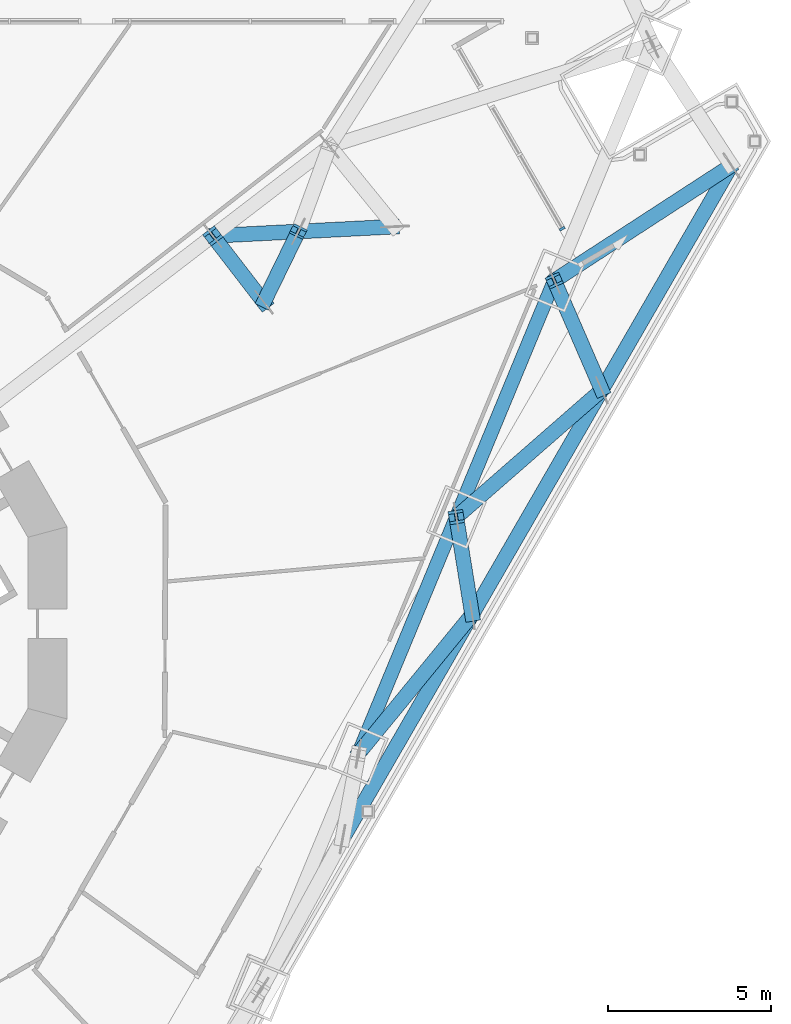
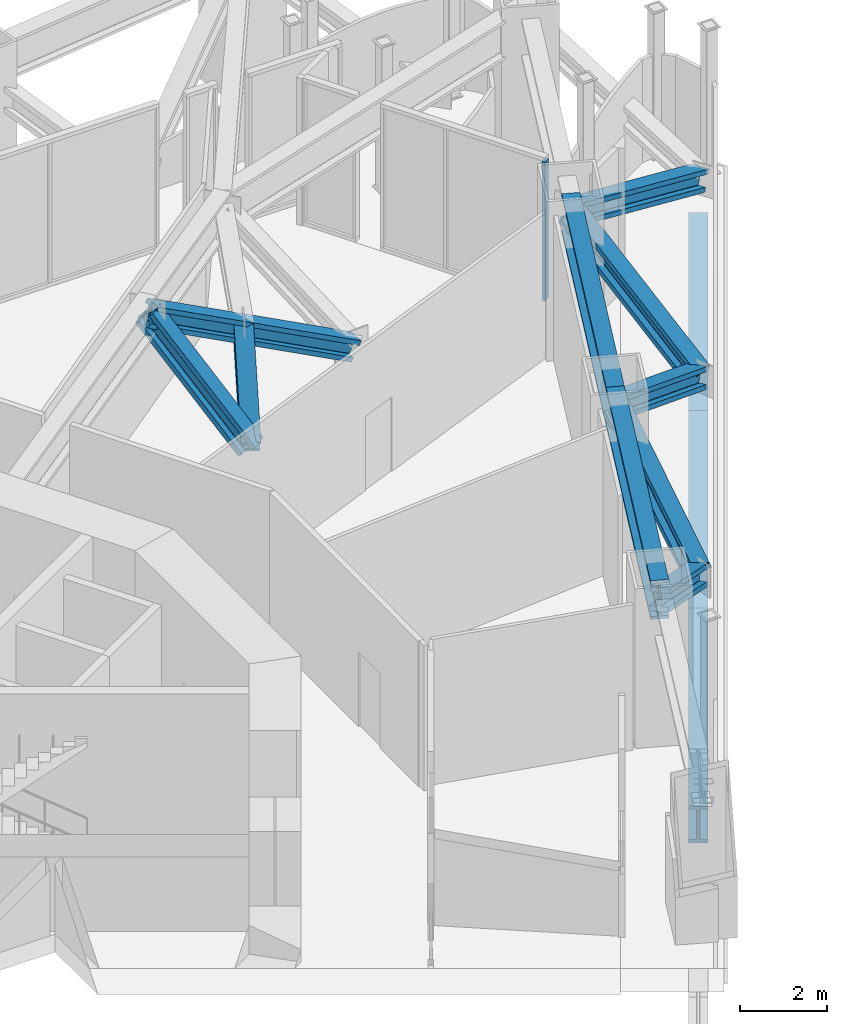
# One storey, part 5 of 28: 14 members, 1 element without a shape of its own.
"""IFC4 building model written with IfcOpenShell, lengths in metres."""

import ifcopenshell
import ifcopenshell.guid

model = None  # the IFC model being written
_history = None  # IfcOwnerHistory: only IFC2X3 demands one
_inside = {}  # id of a spatial element -> (the spatial element, [elements in it])
_under = {}  # id of a project, library or spatial element -> (it, [spatial elements below it])
_declared = {}  # id of a project -> (the project, [libraries it declares])
_typed = {}  # id of a type object -> (the type object, [elements of that type])
_made_of = {}  # id of a material, layer set ... -> (it, [elements and type objects made of it])


def new_model(schema):
    """Start an empty IFC model of exactly this schema.

    Asked for "IFC4X3", IfcOpenShell would pick the latest addendum, in which some entities
    have other attributes; the version numbers below select the first issue.
    IFC2X3 requires an IfcOwnerHistory on every rooted entity: one is made here for all.
    """
    global model, _history
    if schema == "IFC4X3":
        model = ifcopenshell.file(schema_version=(4, 3, 0, 0))
    else:
        model = ifcopenshell.file(schema=schema)
    _inside.clear()
    _under.clear()
    _declared.clear()
    _typed.clear()
    _made_of.clear()
    _history = None
    if model.schema == "IFC2X3":
        org = make("IfcOrganization", Name="unknown")
        user = make(
            "IfcPersonAndOrganization",
            ThePerson=make("IfcPerson", FamilyName="unknown"),
            TheOrganization=org,
        )
        app = make(
            "IfcApplication",
            ApplicationDeveloper=org,
            Version="unknown",
            ApplicationFullName="unknown",
            ApplicationIdentifier="unknown",
        )
        _history = make(
            "IfcOwnerHistory",
            OwningUser=user,
            OwningApplication=app,
            ChangeAction="ADDED",
            CreationDate=0,
        )
    return model


def make(cls, **values):
    """One entity of the class cls with the attributes given. An attribute that is None is left unset."""
    return model.create_entity(
        cls, **{name: value for name, value in values.items() if value is not None}
    )


def rooted(cls, **values):
    """An entity with a GlobalId (a new one), such as an element, a storey or a relation."""
    return make(cls, GlobalId=ifcopenshell.guid.new(), OwnerHistory=_history, **values)


def si_unit(unit_type, name, prefix=None):
    """IfcSIUnit, for example si_unit("LENGTHUNIT", "METRE", prefix="MILLI")."""
    return make("IfcSIUnit", UnitType=unit_type, Prefix=prefix, Name=name)


def assignment(units):
    """IfcUnitAssignment: the units of a project."""
    return None if units is None else make("IfcUnitAssignment", Units=units)


def point(xyz):
    """IfcCartesianPoint."""
    return None if xyz is None else make("IfcCartesianPoint", Coordinates=xyz)


def direction(xyz):
    """IfcDirection."""
    return None if xyz is None else make("IfcDirection", DirectionRatios=xyz)


def frame(location, z_axis=None, x_axis=None):
    """IfcAxis2Placement3D, a coordinate frame: its origin and axes. An axis left out is left unset."""
    return make(
        "IfcAxis2Placement3D",
        Location=point(location),
        Axis=direction(z_axis),
        RefDirection=direction(x_axis),
    )


def frame_2d(location, x_axis=None):
    """IfcAxis2Placement2D, a coordinate frame in the plane: its origin and x axis."""
    return make(
        "IfcAxis2Placement2D", Location=point(location), RefDirection=direction(x_axis)
    )


def origin():
    """The frame at (0, 0, 0) with its axes left unset."""
    return frame((0.0, 0.0, 0.0))


def origin_2d():
    """The frame at (0, 0) in the plane with its x axis left unset."""
    return frame_2d((0.0, 0.0))


def place(relative_to, where):
    """IfcLocalPlacement: puts the frame where relative to a parent placement (None: the world)."""
    return make(
        "IfcLocalPlacement", PlacementRelTo=relative_to, RelativePlacement=where
    )


def context(
    kind, dimensions, precision=None, world=None, true_north=None, identifier=None
):
    """IfcGeometricRepresentationContext, for example the 3D "Model" context."""
    return make(
        "IfcGeometricRepresentationContext",
        ContextIdentifier=identifier,
        ContextType=kind,
        CoordinateSpaceDimension=dimensions,
        Precision=precision,
        WorldCoordinateSystem=world,
        TrueNorth=true_north,
    )


def subcontext(parent, identifier, kind, view, scale=None):
    """IfcGeometricRepresentationSubContext, for example "Body" below "Model"."""
    return make(
        "IfcGeometricRepresentationSubContext",
        ContextIdentifier=identifier,
        ContextType=kind,
        ParentContext=parent,
        TargetScale=scale,
        TargetView=view,
    )


def project(units=None, contexts=None):
    """IfcProject with its units and contexts."""
    return rooted(
        "IfcProject",
        Name="project",
        RepresentationContexts=contexts,
        UnitsInContext=assignment(units),
    )


def spatial(cls, under=None, at=None, **own):
    """A site, building, storey or space (cls), placed at a placement, below another one or the project."""
    s = rooted(cls, ObjectPlacement=at, **own)
    if under is not None:
        _under.setdefault(under.id(), (under, []))[1].append(s)
    return s


def profile(cls, at=None, kind="AREA", **sizes):
    """A parametric profile (cls). Its sizes go by their IFC names, for example OverallWidth=200.0."""
    return make(cls, ProfileType=kind, Position=at, **sizes)


def rectangle(**sizes):
    """IfcRectangleProfileDef."""
    return profile("IfcRectangleProfileDef", **sizes)


def i_section(**sizes):
    """IfcIShapeProfileDef."""
    return profile("IfcIShapeProfileDef", **sizes)


def extrude(swept, where, along, depth):
    """IfcExtrudedAreaSolid: the profile swept, set in the frame where, extruded along a direction by depth."""
    return make(
        "IfcExtrudedAreaSolid",
        SweptArea=swept,
        Position=where,
        ExtrudedDirection=direction(along),
        Depth=depth,
    )


def shape(context_of_items, identifier, shape_type, items):
    """IfcShapeRepresentation: the items that make up one representation, for example the "Body"."""
    return make(
        "IfcShapeRepresentation",
        ContextOfItems=context_of_items,
        RepresentationIdentifier=identifier,
        RepresentationType=shape_type,
        Items=items,
    )


def material(Name=None, Category=None):
    """IfcMaterial."""
    return make("IfcMaterial", Name=Name, Category=Category)


def layer(
    of_material, thickness, ventilated=None, Name=None, Category=None, Priority=None
):
    """IfcMaterialLayer: one layer of a wall or slab, of a material (None: an air gap)."""
    return make(
        "IfcMaterialLayer",
        Material=of_material,
        LayerThickness=thickness,
        IsVentilated=ventilated,
        Name=Name,
        Category=Category,
        Priority=Priority,
    )


def layer_set(layers, Name=None):
    """IfcMaterialLayerSet."""
    return make("IfcMaterialLayerSet", MaterialLayers=layers, LayerSetName=Name)


def material_profile(
    of_material, cross_section, Name=None, Category=None, Priority=None
):
    """IfcMaterialProfile: a cross section and its material."""
    return make(
        "IfcMaterialProfile",
        Name=Name,
        Material=of_material,
        Profile=cross_section,
        Priority=Priority,
        Category=Category,
    )


def profile_set(profiles, Name=None, composite=None):
    """IfcMaterialProfileSet."""
    return make(
        "IfcMaterialProfileSet",
        Name=Name,
        MaterialProfiles=profiles,
        CompositeProfile=composite,
    )


def made_of(thing, what):
    """Note that an element or type object is made of a material, layer set ...; save() writes the relation."""
    if what is not None:
        _made_of.setdefault(what.id(), (what, []))[1].append(thing)
    return thing


def type_object(cls, material=None, **own):
    """A type object (cls), such as IfcWallType, which elements share."""
    return made_of(rooted(cls, **own), material)


def element(
    cls,
    number,
    at=None,
    inside=None,
    cuts=None,
    type_object=None,
    material=None,
    context=None,
    identifier="Body",
    shape_type=None,
    held_by="IfcProductDefinitionShape",
    body=None,
    shapes=None,
    **own,
):
    """One element of the class cls, such as IfcWall. Its Tag is "e" and its number.

    at: its placement. inside: the storey or other place that contains it. cuts: it is an
    opening in that element (IfcRelVoidsElement). A single representation is given by context,
    identifier, shape_type and body (its items); several are given by shapes. held_by: the class
    of the entity that holds the representations. save() writes the other relations.
    """
    e = rooted(cls, Tag="e%d" % number, ObjectPlacement=at, **own)
    if body is not None:
        shapes = [shape(context, identifier, shape_type, body)]
    if shapes is not None:
        e.Representation = make(held_by, Representations=shapes)
    if inside is not None:
        _inside.setdefault(inside.id(), (inside, []))[1].append(e)
    if cuts is not None:
        rooted(
            "IfcRelVoidsElement", RelatingBuildingElement=cuts, RelatedOpeningElement=e
        )
    if type_object is not None:
        _typed.setdefault(type_object.id(), (type_object, []))[1].append(e)
    return made_of(e, material)


def aggregate(whole, parts):
    """IfcRelAggregates: a whole, such as a stair, and the parts it consists of."""
    return rooted("IfcRelAggregates", RelatingObject=whole, RelatedObjects=parts)


def save(model, path):
    """Write the relations noted so far, then the file.

    IfcRelAggregates (storeys below a building ...), IfcRelContainedInSpatialStructure (elements
    in a storey), IfcRelDefinesByType, IfcRelAssociatesMaterial and IfcRelDeclares: one each for
    every whole, place, type object, material and project.
    """
    for whole, parts in _under.values():
        aggregate(whole, parts)
    for where, things in _inside.values():
        rooted(
            "IfcRelContainedInSpatialStructure",
            RelatedElements=things,
            RelatingStructure=where,
        )
    for kind, things in _typed.values():
        rooted("IfcRelDefinesByType", RelatedObjects=things, RelatingType=kind)
    for what, things in _made_of.values():
        rooted("IfcRelAssociatesMaterial", RelatedObjects=things, RelatingMaterial=what)
    for by, libraries in _declared.values():
        rooted("IfcRelDeclares", RelatingContext=by, RelatedDefinitions=libraries)
    model.write(path)


model = new_model("IFC4")

# Units and contexts
model_context = context("Model", 3, precision=1e-05, world=origin(), true_north=direction((0.0, 1.0)))
body_context = subcontext(model_context, "Body", "Model", "MODEL_VIEW")
ifc_project = project(units=[si_unit("LENGTHUNIT", "METRE"), si_unit("AREAUNIT", "SQUARE_METRE"), si_unit("VOLUMEUNIT", "CUBIC_METRE"), si_unit("PLANEANGLEUNIT", "RADIAN"), si_unit("MASSUNIT", "GRAM", prefix="KILO")], contexts=[model_context])

# Site, building, storey
site_placement = place(None, origin())
site = spatial("IfcSite", under=ifc_project, at=site_placement, CompositionType="ELEMENT")
building_placement = place(site_placement, origin())
building = spatial("IfcBuilding", under=site, at=building_placement, Name="Trine Commons Tower", CompositionType="ELEMENT")
storey_placement = place(building_placement, frame((0.0, 0.0, 45.89990234375)))
storey = spatial("IfcBuildingStorey", under=building, at=storey_placement, Name="L10", CompositionType="ELEMENT", Elevation=45.89990234375)

# Curtain wall, member
ifc_material_1 = material(Name="Sky lounge glazing: anodised aluminium frame with low-emissivity double glazed unit, solar control", Category="aluminium")
ifc_layer = layer(ifc_material_1, 0.179931640625)
ifc_layer_set = layer_set([ifc_layer], Name="Sky lounge glazing: anodised aluminium frame with low-emissivity double glazed unit, solar control")
curtain_wall_type = type_object("IfcCurtainWallType", Name="Sky lounge glazing curtain wall CW5", PredefinedType="NOTDEFINED", material=ifc_layer_set)
curtain_wall_placement = place(storey_placement, origin())
curtain_wall = element("IfcCurtainWall", 1, at=curtain_wall_placement, inside=storey, type_object=curtain_wall_type, Name="Sky lounge glazing L10 P2.2", PredefinedType="NOTDEFINED")
ifc_material_2 = material(Name="Anodised aluminium, bronze finish", Category="aluminium")
ifc_material_profile_1 = material_profile(ifc_material_2, rectangle(XDim=0.179931640625, YDim=0.074951171875, at=origin_2d()), Name="Mullion 75x180")
ifc_profile_set_1 = profile_set([ifc_material_profile_1], Name="Anodised aluminium, bronze finish")
member_type_1 = type_object("IfcMemberType", Name="Mullion 75x180, Anodised aluminium, bronze finish", PredefinedType="MULLION", material=ifc_profile_set_1)
member_1_placement = place(storey_placement, frame((106.218505859375, 74.606689453125, 0.110107421875), z_axis=(0.0, 0.0, 1.0), x_axis=(0.866025403784, 0.5, 0.0)))
member_1 = element("IfcMember", 2, at=member_1_placement, type_object=member_type_1, Name="CW5 mullion 3.1", PredefinedType="MULLION", context=body_context, shape_type="SweptSolid", body=[
    extrude(rectangle(XDim=0.179931640625, YDim=0.074951171875, at=origin_2d()), origin(), (0.0, 0.0, 1.0), 3.929931640625),
])
aggregate(curtain_wall, [member_1])

# Members
ifc_material_3 = material(Name="Structural steel ASTM A992 Gr50", Category="steel")
ifc_material_profile_2 = material_profile(ifc_material_3, i_section(OverallWidth=0.4541015625, OverallDepth=0.568359375, WebThickness=0.077880859375, FlangeThickness=0.124755859375, FilletRadius=0.015380859375, at=origin_2d()), Name="W14X730")
ifc_profile_set_2 = profile_set([ifc_material_profile_2], Name="Structural steel ASTM A992 Gr50")
member_type_2 = type_object("IfcMemberType", Name="Steel brace W14X730, ASTM A992 Gr50", PredefinedType="BRACE", material=ifc_profile_set_2)
member_2_placement = place(storey_placement, frame((107.4345703125, 69.64892578125, 0.520751953125), z_axis=(-0.304509674315, 0.701957760863, 0.643839390075), x_axis=(-0.917399175175, -0.397968281888, 0.0)))
element("IfcMember", 3, at=member_2_placement, inside=storey, type_object=member_type_2, Name="Transfer truss brace T1-DG-35", PredefinedType="BRACE", context=body_context, shape_type="SweptSolid", body=[
    extrude(i_section(OverallWidth=0.4541015625, OverallDepth=0.568359375, WebThickness=0.077880859375, FlangeThickness=0.124755859375, FilletRadius=0.015380859375, at=origin_2d()), origin(), (0.0, 0.0, 1.0), 4.788818359375),
])
member_3_placement = place(storey_placement, frame((111.416259765625, 76.54541015625, 0.520751953125), z_axis=(-0.757339095765, -0.492124260281, 0.429244925968), x_axis=(0.544874589617, -0.838517549959, 0.0)))
element("IfcMember", 4, at=member_3_placement, inside=storey, type_object=member_type_2, Name="Transfer truss brace T1-DG-36", PredefinedType="BRACE", context=body_context, shape_type="SweptSolid", body=[
    extrude(i_section(OverallWidth=0.4541015625, OverallDepth=0.568359375, WebThickness=0.077880859375, FlangeThickness=0.124755859375, FilletRadius=0.015380859375, at=origin_2d()), origin(), (0.0, 0.0, 1.0), 7.182861328125),
])
member_4_placement = place(storey_placement, frame((103.452880859375, 62.75244140625, 0.520751953125), z_axis=(-0.11201399309, 0.692511699348, 0.712657289037), x_axis=(-0.987169636404, -0.159675010452, 0.0)))
element("IfcMember", 5, at=member_4_placement, inside=storey, type_object=member_type_2, Name="Transfer truss brace T1-DG-37", PredefinedType="BRACE", context=body_context, shape_type="SweptSolid", body=[
    extrude(i_section(OverallWidth=0.4541015625, OverallDepth=0.568359375, WebThickness=0.077880859375, FlangeThickness=0.124755859375, FilletRadius=0.015380859375, at=origin_2d()), origin(), (0.0, 0.0, 1.0), 4.326416015625),
])
member_5_placement = place(storey_placement, frame((107.4345703125, 69.64892578125, 0.520751953125), z_axis=(-0.668272176612, -0.583596605092, 0.461332093497), x_axis=(0.657775578226, -0.753213972713, 0.0)))
element("IfcMember", 6, at=member_5_placement, inside=storey, type_object=member_type_2, Name="Transfer truss brace T1-DG-38", PredefinedType="BRACE", context=body_context, shape_type="SweptSolid", body=[
    extrude(i_section(OverallWidth=0.4541015625, OverallDepth=0.568359375, WebThickness=0.077880859375, FlangeThickness=0.124755859375, FilletRadius=0.015380859375, at=origin_2d()), origin(), (0.0, 0.0, 1.0), 6.683349609375),
])
member_6_placement = place(storey_placement, frame((103.452880859375, 62.75244140625, 0.520751953125), z_axis=(-0.552897837522, -0.675334601765, 0.488085194328), x_axis=(0.773759971642, -0.633478891743, 0.0)))
element("IfcMember", 7, at=member_6_placement, inside=storey, type_object=member_type_2, Name="Transfer truss brace T1-DG-40", PredefinedType="BRACE", context=body_context, shape_type="SweptSolid", body=[
    extrude(i_section(OverallWidth=0.4541015625, OverallDepth=0.568359375, WebThickness=0.077880859375, FlangeThickness=0.124755859375, FilletRadius=0.015380859375, at=origin_2d()), origin(), (0.0, 0.0, 1.0), 6.317138671875),
])
member_7_placement = place(storey_placement, frame((97.05810546875, 72.348388671875, 0.520751953125), z_axis=(-0.391033477894, 0.507188056864, 0.768018941264), x_axis=(-0.791952799856, -0.610582314517, 0.0)))
element("IfcMember", 8, at=member_7_placement, inside=storey, type_object=member_type_2, Name="Transfer truss brace T1-DG-53", PredefinedType="BRACE", context=body_context, shape_type="SweptSolid", body=[
    extrude(i_section(OverallWidth=0.4541015625, OverallDepth=0.568359375, WebThickness=0.077880859375, FlangeThickness=0.124755859375, FilletRadius=0.015380859375, at=origin_2d()), origin(), (0.0, 0.0, 1.0), 4.0146484375),
])
member_8_placement = place(storey_placement, frame((101.0771484375, 74.6689453125, 0.520751953125), z_axis=(-0.874726980872, -0.044515854129, 0.482567143169), x_axis=(0.050825367051, -0.998707555826, 0.0)))
element("IfcMember", 9, at=member_8_placement, inside=storey, type_object=member_type_2, Name="Transfer truss brace T1-DG-54", PredefinedType="BRACE", context=body_context, shape_type="SweptSolid", body=[
    extrude(i_section(OverallWidth=0.4541015625, OverallDepth=0.568359375, WebThickness=0.077880859375, FlangeThickness=0.124755859375, FilletRadius=0.015380859375, at=origin_2d()), origin(), (0.0, 0.0, 1.0), 6.38916015625),
])
member_9_placement = place(storey_placement, frame((97.05810546875, 72.348388671875, 0.520751953125), z_axis=(0.362999422763, 0.744425212164, 0.560412814422), x_axis=(-0.898832583062, 0.438292125899, 0.0)))
element("IfcMember", 10, at=member_9_placement, inside=storey, type_object=member_type_2, Name="Transfer truss brace T1-DG-56a", PredefinedType="BRACE", context=body_context, shape_type="SweptSolid", body=[
    extrude(i_section(OverallWidth=0.4541015625, OverallDepth=0.568359375, WebThickness=0.077880859375, FlangeThickness=0.124755859375, FilletRadius=0.015380859375, at=origin_2d()), origin(), (0.0, 0.0, 1.0), 2.914794921875),
])
ifc_material_profile_3 = material_profile(ifc_material_3, i_section(OverallWidth=0.44775390625, OverallDepth=1.04150390625, WebThickness=0.050048828125, FlangeThickness=0.08984375, FilletRadius=0.024169921875, at=origin_2d()), Name="W36X652")
ifc_profile_set_3 = profile_set([ifc_material_profile_3], Name="Structural steel ASTM A992 Gr50")
member_type_3 = type_object("IfcMemberType", Name="Steel chord W36X652, ASTM A992 Gr50", PredefinedType="CHORD", material=ifc_profile_set_3)
for number, where, z_axis, x_axis, name in (
    (11, (111.416259765625, 76.54541015625, -0.970703125), (-0.500000220644, -0.866025276396, 0.0), (0.866025276396, -0.500000220644, 0.0), "Transfer truss chord T1-LC-15"),
    (12, (107.4345703125, 69.64892578125, -0.970703125), (-0.500000220644, -0.866025276396, 0.0), (0.866025276396, -0.500000220644, 0.0), "Transfer truss chord T1-LC-16"),
    (13, (103.452880859375, 62.75244140625, -0.970703125), (-0.500000220644, -0.866025276396, 0.0), (0.866025276396, -0.500000220644, 0.0), "Transfer truss chord T1-LC-17"),
):
    element("IfcMember", number, at=place(storey_placement, frame(where, z_axis=z_axis, x_axis=x_axis)), inside=storey, type_object=member_type_3, Name=name, PredefinedType="CHORD", context=body_context, shape_type="SweptSolid", body=[
        extrude(i_section(OverallWidth=0.44775390625, OverallDepth=1.04150390625, WebThickness=0.050048828125, FlangeThickness=0.08984375, FilletRadius=0.024169921875, at=origin_2d()), origin(), (0.0, 0.0, 1.0), 7.96337890625),
    ])
ifc_material_profile_4 = material_profile(ifc_material_3, i_section(OverallWidth=0.42529296875, OverallDepth=1.09228515625, WebThickness=0.04541015625, FlangeThickness=0.08203125, FilletRadius=0.030029296875, at=origin_2d()), Name="W40X593")
ifc_profile_set_4 = profile_set([ifc_material_profile_4], Name="Structural steel ASTM A992 Gr50")
member_type_4 = type_object("IfcMemberType", Name="Steel chord W40X593, ASTM A992 Gr50", PredefinedType="CHORD", material=ifc_profile_set_4)
member_10_placement = place(storey_placement, frame((105.976318359375, 73.010498046875, 3.60400390625), z_axis=(-0.382689200876, -0.923877143095, 0.0), x_axis=(0.923877143095, -0.382689200876, 0.0)))
element("IfcMember", 14, at=member_10_placement, inside=storey, type_object=member_type_4, Name="Transfer truss chord T1-UC-16", PredefinedType="CHORD", context=body_context, shape_type="SweptSolid", body=[
    extrude(i_section(OverallWidth=0.42529296875, OverallDepth=1.09228515625, WebThickness=0.04541015625, FlangeThickness=0.08203125, FilletRadius=0.030029296875, at=origin_2d()), origin(), (0.0, 0.0, 1.0), 7.8603515625),
])
member_11_placement = place(storey_placement, frame((102.96826171875, 65.74853515625, 3.60400390625), z_axis=(-0.382678219689, -0.923881691655, 0.0), x_axis=(0.923881691655, -0.382678219689, 0.0)))
element("IfcMember", 15, at=member_11_placement, inside=storey, type_object=member_type_4, Name="Transfer truss chord T1-UC-17", PredefinedType="CHORD", context=body_context, shape_type="SweptSolid", body=[
    extrude(i_section(OverallWidth=0.42529296875, OverallDepth=1.09228515625, WebThickness=0.04541015625, FlangeThickness=0.08203125, FilletRadius=0.030029296875, at=origin_2d()), origin(), (0.0, 0.0, 1.0), 7.860595703125),
])

save(model, "model.ifc")
